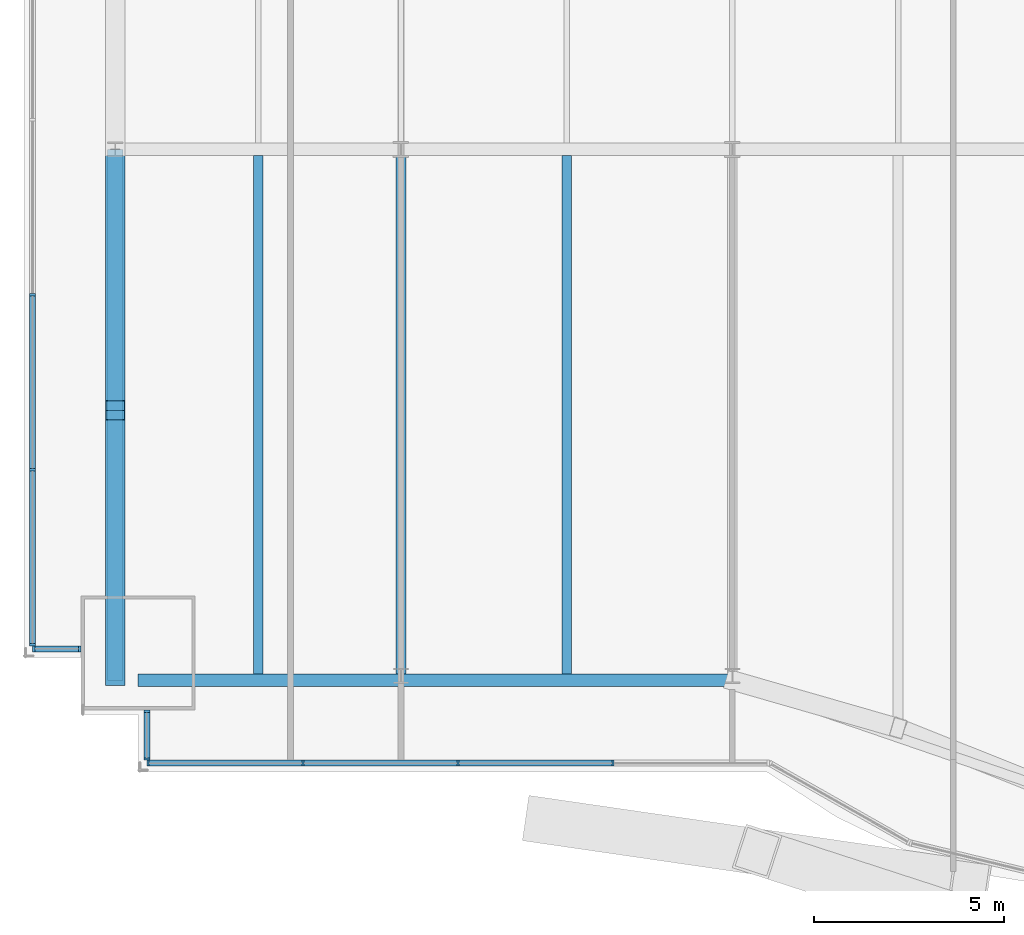
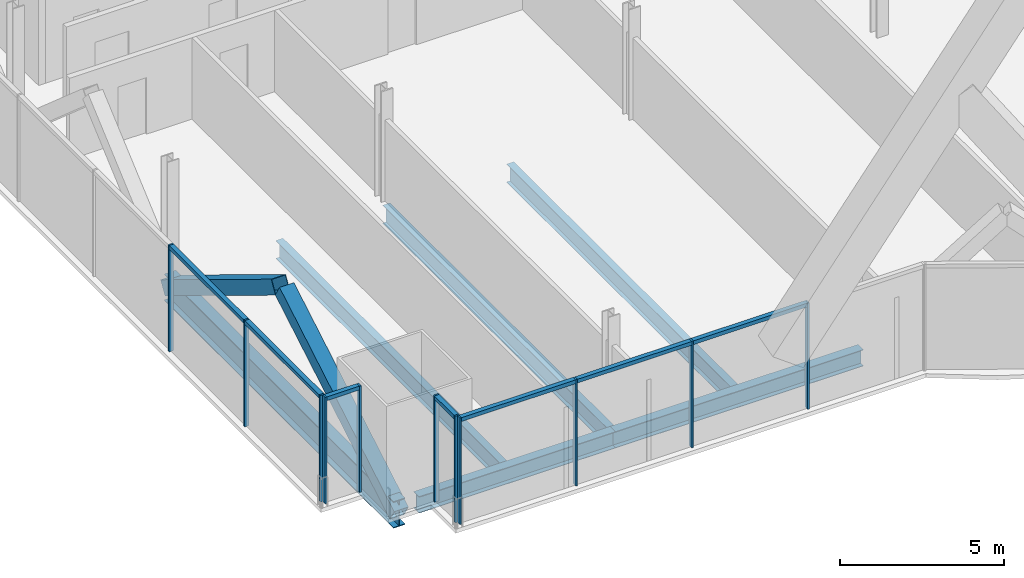
# One storey, part 4 of 22: 20 members, 6 beams, 4 elements without a shape of their own.
"""IFC4 building model written with IfcOpenShell, lengths in metres."""

from ifc_helpers import new_model, si_unit, direction, frame, origin, origin_2d, place, context, subcontext, project, spatial, rectangle, hollow_rectangle, i_section, extrude, material, material_profile, profile_set, type_object, element, aggregate, save


model = new_model("IFC4")

# Units and contexts
model_context = context("Model", 3, precision=1e-05, world=origin(), true_north=direction((0.0, 1.0)))
body_context = subcontext(model_context, "Body", "Model", "MODEL_VIEW")
ifc_project = project(units=[si_unit("LENGTHUNIT", "METRE"), si_unit("AREAUNIT", "SQUARE_METRE"), si_unit("VOLUMEUNIT", "CUBIC_METRE"), si_unit("PLANEANGLEUNIT", "RADIAN"), si_unit("MASSUNIT", "GRAM", prefix="KILO")], contexts=[model_context])

# Site, building, storey
site_placement = place(None, origin())
site = spatial("IfcSite", under=ifc_project, at=site_placement, CompositionType="ELEMENT")
building_placement = place(site_placement, origin())
building = spatial("IfcBuilding", under=site, at=building_placement, Name="Bicima Exchange Tower", CompositionType="ELEMENT")
storey_placement = place(building_placement, frame((0.0, 0.0, 102.199951171875)))
storey = spatial("IfcBuildingStorey", under=building, at=storey_placement, Name="L21", CompositionType="ELEMENT", Elevation=102.199951171875)

# Curtain wall, members
ifc_material_1 = material(Name="Anodised bronze aluminium", Category="aluminium")
curtain_wall_type_1 = type_object("IfcCurtainWallType", Name="End face glass wall", PredefinedType="NOTDEFINED", material=ifc_material_1)
curtain_wall_1_placement = place(storey_placement, origin())
curtain_wall_1 = element("IfcCurtainWall", 1, at=curtain_wall_1_placement, inside=storey, type_object=curtain_wall_type_1, Name="End face glass wall L21 run 2", PredefinedType="NOTDEFINED")
ifc_material_profile_1 = material_profile(ifc_material_1, rectangle(XDim=0.159912109375, YDim=0.06005859375, at=origin_2d()))
ifc_profile_set_1 = profile_set([ifc_material_profile_1], Name="Anodised bronze aluminium")
member_type_1 = type_object("IfcMemberType", Name="End face glass wall mullion 60 x 160", PredefinedType="MULLION", material=ifc_profile_set_1)
member_1_placement = place(storey_placement, frame((-35.77001953125, -25.81201171875, 0.0), z_axis=(0.0, 0.0, 1.0), x_axis=(1.0, 0.0, 0.0)))
member_1 = element("IfcMember", 2, at=member_1_placement, type_object=member_type_1, Name="End face glass wall mullion 4", PredefinedType="MULLION", context=body_context, shape_type="SweptSolid", body=[
    extrude(rectangle(XDim=0.159912109375, YDim=0.06005859375, at=origin_2d()), origin(), (0.0, 0.0, 1.0), 3.949951171875),
])
member_2_placement = place(storey_placement, frame((-35.77001953125, -30.406005859375, 0.0), z_axis=(0.0, 0.0, 1.0), x_axis=(1.0, 0.0, 0.0)))
member_2 = element("IfcMember", 3, at=member_2_placement, type_object=member_type_1, Name="End face glass wall mullion 5", PredefinedType="MULLION", context=body_context, shape_type="SweptSolid", body=[
    extrude(rectangle(XDim=0.159912109375, YDim=0.06005859375, at=origin_2d()), origin(), (0.0, 0.0, 1.0), 3.949951171875),
])
member_3_placement = place(storey_placement, frame((-35.77001953125, -35.0, 0.0), z_axis=(0.0, 0.0, 1.0), x_axis=(1.0, 0.0, 0.0)))
member_3 = element("IfcMember", 4, at=member_3_placement, type_object=member_type_1, Name="End face glass wall mullion 6", PredefinedType="MULLION", context=body_context, shape_type="SweptSolid", body=[
    extrude(rectangle(XDim=0.159912109375, YDim=0.06005859375, at=origin_2d()), origin(), (0.0, 0.0, 1.0), 3.949951171875),
])
ifc_material_profile_2 = material_profile(ifc_material_1, rectangle(XDim=0.159912109375, YDim=0.139892578125, at=origin_2d()))
ifc_profile_set_2 = profile_set([ifc_material_profile_2], Name="Anodised bronze aluminium")
member_type_2 = type_object("IfcMemberType", Name="End face glass wall transom 140 x 160", PredefinedType="USERDEFINED", material=ifc_profile_set_2)
member_4_placement = place(storey_placement, frame((-35.77001953125, -25.842041015625, 3.880126953125), z_axis=(0.0, -1.0, 0.0), x_axis=(1.0, 0.0, 0.0)))
member_4 = element("IfcMember", 5, at=member_4_placement, type_object=member_type_2, Name="End face glass wall transom 4.1", ObjectType="TRANSOM", PredefinedType="USERDEFINED", context=body_context, shape_type="SweptSolid", body=[
    extrude(rectangle(XDim=0.159912109375, YDim=0.139892578125, at=origin_2d()), origin(), (0.0, 0.0, 1.0), 4.533935546875),
])
member_5_placement = place(storey_placement, frame((-35.77001953125, -30.43603515625, 3.880126953125), z_axis=(0.0, -1.0, 0.0), x_axis=(1.0, 0.0, 0.0)))
member_5 = element("IfcMember", 6, at=member_5_placement, type_object=member_type_2, Name="End face glass wall transom 5.1", ObjectType="TRANSOM", PredefinedType="USERDEFINED", context=body_context, shape_type="SweptSolid", body=[
    extrude(rectangle(XDim=0.159912109375, YDim=0.139892578125, at=origin_2d()), origin(), (0.0, 0.0, 1.0), 4.533935546875),
])
aggregate(curtain_wall_1, [member_1, member_2, member_3, member_4, member_5])

# Beams
ifc_material_2 = material(Name="Steel ASTM A992 Gr 50", Category="steel")
ifc_material_profile_3 = material_profile(ifc_material_2, i_section(OverallWidth=0.4013671875, OverallDepth=0.990478515625, WebThickness=0.0166015625, FlangeThickness=0.031005859375, at=origin_2d()))
ifc_profile_set_3 = profile_set([ifc_material_profile_3], Name="Steel ASTM A992 Gr 50")
beam_type_1 = type_object("IfcBeamType", Name="End girder W40x215", PredefinedType="BEAM", material=ifc_profile_set_3)
beam_1_placement = place(storey_placement, frame((-33.60009765625, -22.0, -0.645263671875), z_axis=(0.0, -1.0, 0.0), x_axis=(1.0, 0.0, 0.0)))
element("IfcBeam", 7, at=beam_1_placement, inside=storey, type_object=beam_type_1, Name="End girder", PredefinedType="BEAM", context=body_context, shape_type="SweptSolid", body=[
    extrude(i_section(OverallWidth=0.4013671875, OverallDepth=0.990478515625, WebThickness=0.0166015625, FlangeThickness=0.031005859375, at=origin_2d()), origin(), (0.0, 0.0, 1.0), 13.93994140625),
])
ifc_material_profile_4 = material_profile(ifc_material_2, i_section(OverallWidth=0.25390625, OverallDepth=0.67822265625, WebThickness=0.01171875, FlangeThickness=0.016357421875, at=origin_2d()))
ifc_profile_set_4 = profile_set([ifc_material_profile_4], Name="Steel ASTM A992 Gr 50")
beam_type_2 = type_object("IfcBeamType", Name="Floor beam W27x84", PredefinedType="JOIST", material=ifc_profile_set_4)
for number, where, z_axis, x_axis, name in (
    (8, (-29.85009765625, -22.16259765625, -0.489013671875), (0.0, -1.0, 0.0), (1.0, 0.0, 0.0), "Floor beam"),
    (9, (-26.10009765625, -22.16259765625, -0.489013671875), (0.0, -1.0, 0.0), (1.0, 0.0, 0.0), "Floor beam"),
    (10, (-21.75, -22.16259765625, -0.489013671875), (0.0, -1.0, 0.0), (1.0, 0.0, 0.0), "Floor beam"),
):
    element("IfcBeam", number, at=place(storey_placement, frame(where, z_axis=z_axis, x_axis=x_axis)), inside=storey, type_object=beam_type_2, Name=name, PredefinedType="JOIST", context=body_context, shape_type="SweptSolid", body=[
        extrude(i_section(OverallWidth=0.25390625, OverallDepth=0.67822265625, WebThickness=0.01171875, FlangeThickness=0.016357421875, at=origin_2d()), origin(), (0.0, 0.0, 1.0), 13.61474609375),
    ])
ifc_material_profile_5 = material_profile(ifc_material_2, i_section(OverallWidth=0.3251953125, OverallDepth=0.612060546875, WebThickness=0.0126953125, FlangeThickness=0.01904296875, at=origin_2d()))
ifc_profile_set_5 = profile_set([ifc_material_profile_5], Name="Steel ASTM A992 Gr 50")
beam_type_3 = type_object("IfcBeamType", Name="Front girder W24x104", PredefinedType="BEAM", material=ifc_profile_set_5)
beam_2_placement = place(storey_placement, frame((-33.0, -35.93994140625, -0.4560546875), z_axis=(1.0, 0.0, 0.0), x_axis=(0.0, 1.0, 0.0)))
element("IfcBeam", 11, at=beam_2_placement, inside=storey, type_object=beam_type_3, Name="Front girder", PredefinedType="BEAM", context=body_context, shape_type="SweptSolid", body=[
    extrude(i_section(OverallWidth=0.3251953125, OverallDepth=0.612060546875, WebThickness=0.0126953125, FlangeThickness=0.01904296875, at=origin_2d()), origin(), (0.0, 0.0, 1.0), 6.89990234375),
])
beam_3_placement = place(storey_placement, frame((-26.10009765625, -35.93994140625, -0.4560546875), z_axis=(1.0, 0.0, 0.0), x_axis=(0.0, 1.0, 0.0)))
element("IfcBeam", 12, at=beam_3_placement, inside=storey, type_object=beam_type_3, Name="Front girder", PredefinedType="BEAM", context=body_context, shape_type="SweptSolid", body=[
    extrude(i_section(OverallWidth=0.3251953125, OverallDepth=0.612060546875, WebThickness=0.0126953125, FlangeThickness=0.01904296875, at=origin_2d()), origin(), (0.0, 0.0, 1.0), 8.7001953125),
])

# Curtain wall, members
curtain_wall_type_2 = type_object("IfcCurtainWallType", Name="Front glass wall", PredefinedType="NOTDEFINED", material=ifc_material_1)
curtain_wall_2_placement = place(storey_placement, origin())
curtain_wall_2 = element("IfcCurtainWall", 13, at=curtain_wall_2_placement, inside=storey, type_object=curtain_wall_type_2, Name="Front glass wall L21 run 3", PredefinedType="NOTDEFINED")
member_type_3 = type_object("IfcMemberType", Name="Front glass wall mullion 60 x 160", PredefinedType="MULLION", material=ifc_profile_set_1)
member_6_placement = place(storey_placement, frame((-35.739990234375, -35.110107421875, 0.0), z_axis=(0.0, 0.0, 1.0), x_axis=(0.0, 1.0, 0.0)))
member_6 = element("IfcMember", 14, at=member_6_placement, type_object=member_type_3, Name="Front glass wall mullion 1", PredefinedType="MULLION", context=body_context, shape_type="SweptSolid", body=[
    extrude(rectangle(XDim=0.159912109375, YDim=0.06005859375, at=origin_2d()), origin(), (0.0, 0.0, 1.0), 3.949951171875),
])
member_7_placement = place(storey_placement, frame((-34.530029296875, -35.110107421875, 0.0), z_axis=(0.0, 0.0, 1.0), x_axis=(0.0, 1.0, 0.0)))
member_7 = element("IfcMember", 15, at=member_7_placement, type_object=member_type_3, Name="Front glass wall mullion 2", PredefinedType="MULLION", context=body_context, shape_type="SweptSolid", body=[
    extrude(rectangle(XDim=0.159912109375, YDim=0.06005859375, at=origin_2d()), origin(), (0.0, 0.0, 1.0), 3.949951171875),
])

curtain_wall_3_placement = place(storey_placement, origin())
curtain_wall_3 = element("IfcCurtainWall", 16, at=curtain_wall_3_placement, inside=storey, type_object=curtain_wall_type_2, Name="Front glass wall L21 run 4", PredefinedType="NOTDEFINED")
member_8_placement = place(storey_placement, frame((-32.77001953125, -36.748046875, 0.0), z_axis=(0.0, 0.0, 1.0), x_axis=(1.0, 0.0, 0.0)))
member_8 = element("IfcMember", 17, at=member_8_placement, type_object=member_type_3, Name="Front glass wall mullion 1", PredefinedType="MULLION", context=body_context, shape_type="SweptSolid", body=[
    extrude(rectangle(XDim=0.159912109375, YDim=0.06005859375, at=origin_2d()), origin(), (0.0, 0.0, 1.0), 3.949951171875),
])
member_9_placement = place(storey_placement, frame((-32.77001953125, -38.0, 0.0), z_axis=(0.0, 0.0, 1.0), x_axis=(1.0, 0.0, 0.0)))
member_9 = element("IfcMember", 18, at=member_9_placement, type_object=member_type_3, Name="Front glass wall mullion 2", PredefinedType="MULLION", context=body_context, shape_type="SweptSolid", body=[
    extrude(rectangle(XDim=0.159912109375, YDim=0.06005859375, at=origin_2d()), origin(), (0.0, 0.0, 1.0), 3.949951171875),
])

curtain_wall_4_placement = place(storey_placement, origin())
curtain_wall_4 = element("IfcCurtainWall", 19, at=curtain_wall_4_placement, inside=storey, type_object=curtain_wall_type_2, Name="Front glass wall L21 run 5", PredefinedType="NOTDEFINED")
member_10_placement = place(storey_placement, frame((-32.739990234375, -38.110107421875, 0.0), z_axis=(0.0, 0.0, 1.0), x_axis=(0.0, 1.0, 0.0)))
member_10 = element("IfcMember", 20, at=member_10_placement, type_object=member_type_3, Name="Front glass wall mullion 1", PredefinedType="MULLION", context=body_context, shape_type="SweptSolid", body=[
    extrude(rectangle(XDim=0.159912109375, YDim=0.06005859375, at=origin_2d()), origin(), (0.0, 0.0, 1.0), 3.949951171875),
])
member_11_placement = place(storey_placement, frame((-28.67041015625, -38.110107421875, 0.0), z_axis=(0.0, 0.0, 1.0), x_axis=(0.0, 1.0, 0.0)))
member_11 = element("IfcMember", 21, at=member_11_placement, type_object=member_type_3, Name="Front glass wall mullion 2", PredefinedType="MULLION", context=body_context, shape_type="SweptSolid", body=[
    extrude(rectangle(XDim=0.159912109375, YDim=0.06005859375, at=origin_2d()), origin(), (0.0, 0.0, 1.0), 3.949951171875),
])
member_12_placement = place(storey_placement, frame((-24.60107421875, -38.110107421875, 0.0), z_axis=(0.0, 0.0, 1.0), x_axis=(0.0, 1.0, 0.0)))
member_12 = element("IfcMember", 22, at=member_12_placement, type_object=member_type_3, Name="Front glass wall mullion 3", PredefinedType="MULLION", context=body_context, shape_type="SweptSolid", body=[
    extrude(rectangle(XDim=0.159912109375, YDim=0.06005859375, at=origin_2d()), origin(), (0.0, 0.0, 1.0), 3.949951171875),
])
member_13_placement = place(storey_placement, frame((-20.531494140625, -38.110107421875, 0.0), z_axis=(0.0, 0.0, 1.0), x_axis=(0.0, 1.0, 0.0)))
member_13 = element("IfcMember", 23, at=member_13_placement, type_object=member_type_3, Name="Front glass wall mullion 4", PredefinedType="MULLION", context=body_context, shape_type="SweptSolid", body=[
    extrude(rectangle(XDim=0.159912109375, YDim=0.06005859375, at=origin_2d()), origin(), (0.0, 0.0, 1.0), 3.949951171875),
])

# Member
member_type_4 = type_object("IfcMemberType", Name="Front glass wall transom 140 x 160", PredefinedType="USERDEFINED", material=ifc_profile_set_2)
member_14_placement = place(storey_placement, frame((-35.7099609375, -35.110107421875, 3.880126953125), z_axis=(1.0, 0.0, 0.0), x_axis=(0.0, 1.0, 0.0)))
member_14 = element("IfcMember", 24, at=member_14_placement, type_object=member_type_4, Name="Front glass wall transom 1.1", ObjectType="TRANSOM", PredefinedType="USERDEFINED", context=body_context, shape_type="SweptSolid", body=[
    extrude(rectangle(XDim=0.159912109375, YDim=0.139892578125, at=origin_2d()), origin(), (0.0, 0.0, 1.0), 1.14990234375),
])

aggregate(curtain_wall_2, [member_6, member_7, member_14])

member_15_placement = place(storey_placement, frame((-32.77001953125, -36.778076171875, 3.880126953125), z_axis=(0.0, -1.0, 0.0), x_axis=(1.0, 0.0, 0.0)))
member_15 = element("IfcMember", 25, at=member_15_placement, type_object=member_type_4, Name="Front glass wall transom 1.1", ObjectType="TRANSOM", PredefinedType="USERDEFINED", context=body_context, shape_type="SweptSolid", body=[
    extrude(rectangle(XDim=0.159912109375, YDim=0.139892578125, at=origin_2d()), origin(), (0.0, 0.0, 1.0), 1.19189453125),
])

aggregate(curtain_wall_3, [member_8, member_9, member_15])

member_16_placement = place(storey_placement, frame((-32.7099609375, -38.110107421875, 3.880126953125), z_axis=(1.0, 0.0, 0.0), x_axis=(0.0, 1.0, 0.0)))
member_16 = element("IfcMember", 26, at=member_16_placement, type_object=member_type_4, Name="Front glass wall transom 1.1", ObjectType="TRANSOM", PredefinedType="USERDEFINED", context=body_context, shape_type="SweptSolid", body=[
    extrude(rectangle(XDim=0.159912109375, YDim=0.139892578125, at=origin_2d()), origin(), (0.0, 0.0, 1.0), 4.009521484375),
])

member_17_placement = place(storey_placement, frame((-28.640380859375, -38.110107421875, 3.880126953125), z_axis=(1.0, 0.0, 0.0), x_axis=(0.0, 1.0, 0.0)))
member_17 = element("IfcMember", 27, at=member_17_placement, type_object=member_type_4, Name="Front glass wall transom 2.1", ObjectType="TRANSOM", PredefinedType="USERDEFINED", context=body_context, shape_type="SweptSolid", body=[
    extrude(rectangle(XDim=0.159912109375, YDim=0.139892578125, at=origin_2d()), origin(), (0.0, 0.0, 1.0), 4.00927734375),
])

member_18_placement = place(storey_placement, frame((-24.571044921875, -38.110107421875, 3.880126953125), z_axis=(1.0, 0.0, 0.0), x_axis=(0.0, 1.0, 0.0)))
member_18 = element("IfcMember", 28, at=member_18_placement, type_object=member_type_4, Name="Front glass wall transom 3.1", ObjectType="TRANSOM", PredefinedType="USERDEFINED", context=body_context, shape_type="SweptSolid", body=[
    extrude(rectangle(XDim=0.159912109375, YDim=0.139892578125, at=origin_2d()), origin(), (0.0, 0.0, 1.0), 4.009521484375),
])

aggregate(curtain_wall_4, [member_10, member_11, member_12, member_13, member_16, member_17, member_18])

# Members
ifc_material_3 = material(Name="Steel ASTM A572 Gr 50", Category="steel")
ifc_material_profile_6 = material_profile(ifc_material_3, hollow_rectangle(XDim=0.508056640625, YDim=0.508056640625, WallThickness=0.0146484375, at=origin_2d()))
ifc_profile_set_6 = profile_set([ifc_material_profile_6], Name="Steel ASTM A572 Gr 50")
member_type_5 = type_object("IfcMemberType", Name="Mega brace HSS20x20x5/8", PredefinedType="BRACE", material=ifc_profile_set_6)
member_19_placement = place(storey_placement, frame((-33.60009765625, -22.0, -0.645263671875), z_axis=(0.0, -0.853862026104, 0.520499414388), x_axis=(1.0, 0.0, 0.0)))
element("IfcMember", 29, at=member_19_placement, inside=storey, type_object=member_type_5, Name="Mega brace west end", PredefinedType="BRACE", context=body_context, shape_type="SweptSolid", body=[
    extrude(hollow_rectangle(XDim=0.508056640625, YDim=0.508056640625, WallThickness=0.0146484375, at=origin_2d()), origin(), (0.0, 0.0, 1.0), 7.877197265625),
])
member_20_placement = place(storey_placement, frame((-33.60009765625, -35.93994140625, -0.645263671875), z_axis=(0.0, 0.86192800611, 0.507030681797), x_axis=(-1.0, 0.0, 0.0)))
element("IfcMember", 30, at=member_20_placement, inside=storey, type_object=member_type_5, Name="Mega brace west end", PredefinedType="BRACE", context=body_context, shape_type="SweptSolid", body=[
    extrude(hollow_rectangle(XDim=0.508056640625, YDim=0.508056640625, WallThickness=0.0146484375, at=origin_2d()), origin(), (0.0, 0.0, 1.0), 8.08642578125),
])

save(model, "model.ifc")
